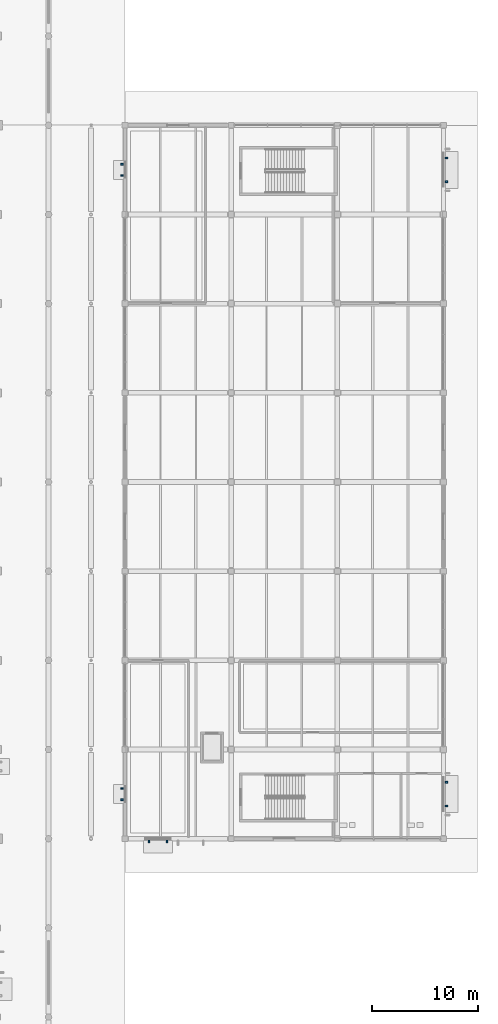
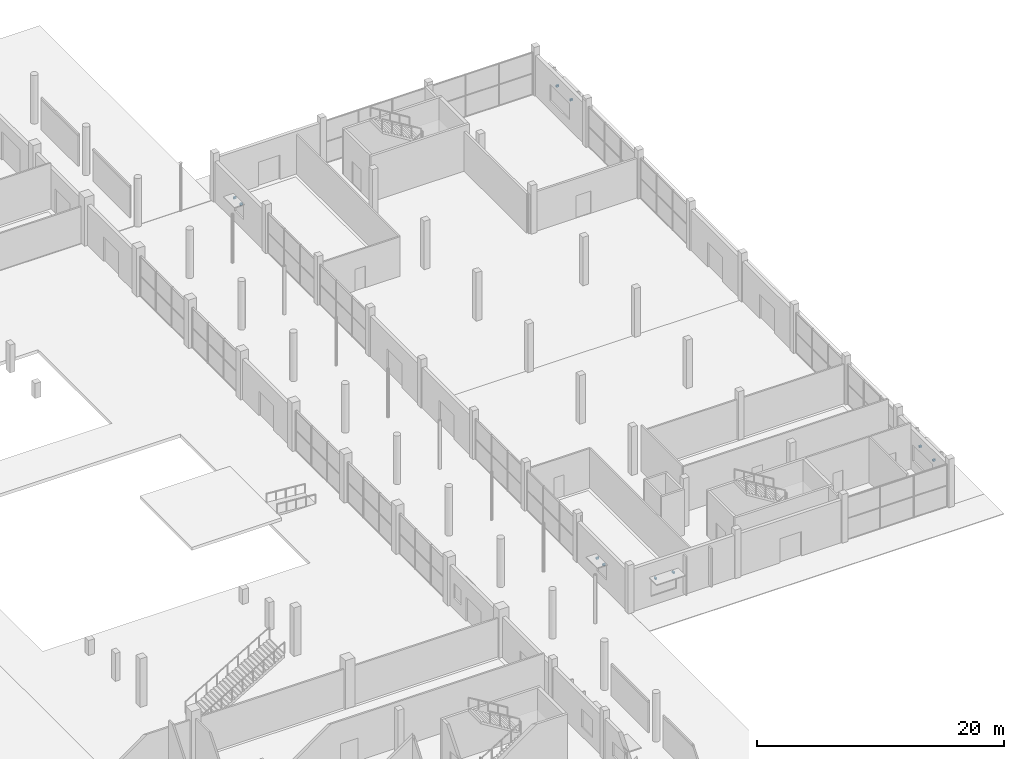
# One storey, part 106 of 130: 10 discrete accessories.
"""IFC4 building model written with IfcOpenShell, lengths in metres."""

from ifc_helpers import new_model, si_unit, direction, frame, origin, origin_2d, place, context, subcontext, project, spatial, rectangle, extrude, material, type_object, element, save


model = new_model("IFC4")

# Units and contexts
model_context = context("Model", 3, precision=1e-05, world=origin(), true_north=direction((0.0, 1.0)))
body_context = subcontext(model_context, "Body", "Model", "MODEL_VIEW")
ifc_project = project(units=[si_unit("LENGTHUNIT", "METRE"), si_unit("AREAUNIT", "SQUARE_METRE"), si_unit("VOLUMEUNIT", "CUBIC_METRE"), si_unit("PLANEANGLEUNIT", "RADIAN"), si_unit("MASSUNIT", "GRAM", prefix="KILO"), si_unit("THERMODYNAMICTEMPERATUREUNIT", "KELVIN")], contexts=[model_context])

# Site, building, storey
site_placement = place(None, origin())
site = spatial("IfcSite", under=ifc_project, at=site_placement, CompositionType="ELEMENT")
building_placement = place(site_placement, origin())
building = spatial("IfcBuilding", under=site, at=building_placement, Name="Nduvali Passage Aquatics Centre", CompositionType="ELEMENT")
storey_placement = place(building_placement, origin())
storey = spatial("IfcBuildingStorey", under=building, at=storey_placement, Name="L00", CompositionType="ELEMENT", Elevation=0.0)

# Discrete accessories
ifc_material = material(Name="Steel S355", Category="steel")
discrete_accessory_type = type_object("IfcDiscreteAccessoryType", Name="ENV-BRK-S355", PredefinedType="BRACKET", material=ifc_material)
for number, where, z_axis, x_axis, name in (
    (1, (140.27001953125, 24.929931640625, 2.580078125), (0.0, 0.0, 1.0), (1.0, 0.0, 0.0), "L00 Sunshade Bracket 0161"),
    (2, (141.949951171875, 24.929931640625, 2.580078125), (0.0, 0.0, 1.0), (1.0, 0.0, 0.0), "L00 Sunshade Bracket 0162"),
    (3, (137.72998046875, 29.925048828125, 2.43505859375), (0.0, 0.0, 1.0), (0.0, -1.0, 0.0), "L00 Sunshade Bracket 0163"),
    (4, (137.72998046875, 28.875, 2.43505859375), (0.0, 0.0, 1.0), (0.0, -1.0, 0.0), "L00 Sunshade Bracket 0164"),
    (5, (168.27001953125, 28.280029296875, 2.43017578125), (0.0, 0.0, 1.0), (0.0, 1.0, 0.0), "L00 Sunshade Bracket 0165"),
    (6, (168.27001953125, 30.52001953125, 2.43017578125), (0.0, 0.0, 1.0), (0.0, 1.0, 0.0), "L00 Sunshade Bracket 0166"),
    (7, (137.72998046875, 88.72509765625, 2.43505859375), (0.0, 0.0, 1.0), (0.0, -1.0, 0.0), "L00 Sunshade Bracket 0167"),
    (8, (137.72998046875, 87.675048828125, 2.43505859375), (0.0, 0.0, 1.0), (0.0, -1.0, 0.0), "L00 Sunshade Bracket 0168"),
    (9, (168.27001953125, 87.080078125, 2.43017578125), (0.0, 0.0, 1.0), (0.0, 1.0, 0.0), "L00 Sunshade Bracket 0169"),
    (10, (168.27001953125, 89.320068359375, 2.43017578125), (0.0, 0.0, 1.0), (0.0, 1.0, 0.0), "L00 Sunshade Bracket 0170"),
):
    element("IfcDiscreteAccessory", number, at=place(storey_placement, frame(where, z_axis=z_axis, x_axis=x_axis)), inside=storey, type_object=discrete_accessory_type, Name=name, PredefinedType="BRACKET", context=body_context, shape_type="SweptSolid", body=[
        extrude(rectangle(XDim=0.159912109375, YDim=0.239990234375, at=origin_2d()), origin(), (0.0, 0.0, 1.0), 0.179931640625),
    ])

save(model, "model.ifc")
